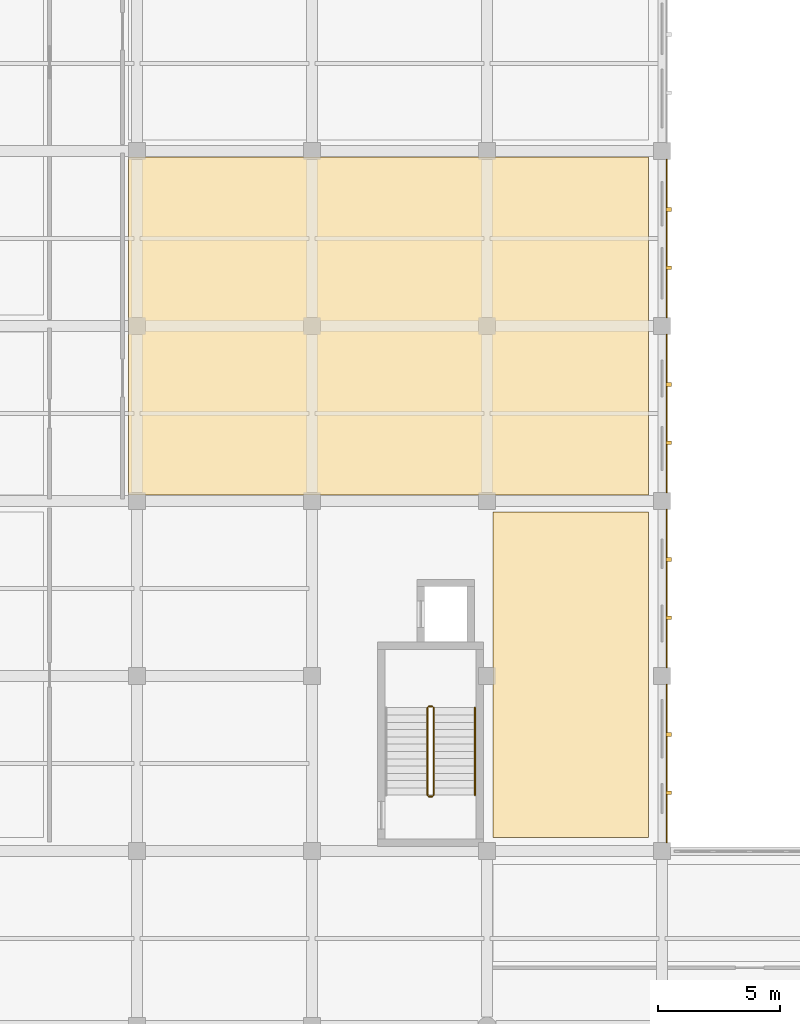
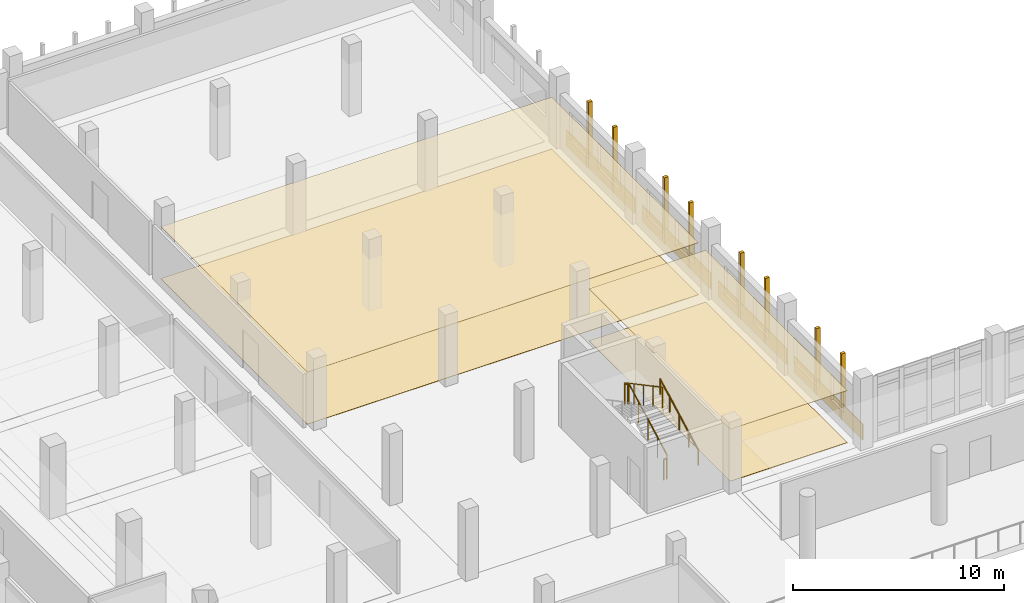
# One storey, part 53 of 57: 8 coverings, 8 shading devices, 5 railings.
"""IFC4 building model written with IfcOpenShell, lengths in metres."""

from ifc_helpers import new_model, si_unit, direction, frame, origin, origin_2d, place, context, subcontext, project, spatial, polyline, rectangle, circle, outline, extrude, material, layer, layer_set, type_object, element, save


model = new_model("IFC4")

# Units and contexts
model_context = context("Model", 3, precision=1e-05, world=origin(), true_north=direction((0.0, 1.0)))
body_context = subcontext(model_context, "Body", "Model", "MODEL_VIEW")
ifc_project = project(units=[si_unit("LENGTHUNIT", "METRE"), si_unit("AREAUNIT", "SQUARE_METRE"), si_unit("VOLUMEUNIT", "CUBIC_METRE"), si_unit("PLANEANGLEUNIT", "RADIAN"), si_unit("MASSUNIT", "GRAM", prefix="KILO")], contexts=[model_context])

# Site, building, storey
site_placement = place(None, origin())
site = spatial("IfcSite", under=ifc_project, at=site_placement, CompositionType="ELEMENT")
building_placement = place(site_placement, origin())
building = spatial("IfcBuilding", under=site, at=building_placement, Name="Valkovuoma Quantum and Materials Research Institute", CompositionType="ELEMENT")
storey_placement = place(building_placement, frame((0.0, 0.0, 4.800048828125)))
storey = spatial("IfcBuildingStorey", under=building, at=storey_placement, Name="L01", CompositionType="ELEMENT", Elevation=4.800048828125)

# Coverings
ifc_material_1 = material(Name="Cleanable acoustic mineral-fibre suspended ceiling", Category="masonry")
ifc_layer_1 = layer(ifc_material_1, 0.02490234375)
ifc_layer_set_1 = layer_set([ifc_layer_1], Name="Cleanable acoustic mineral-fibre suspended ceiling")
covering_type_1 = type_object("IfcCoveringType", Name="Cov-CEIL-01", PredefinedType="CEILING", material=ifc_layer_set_1)
covering_1_placement = place(storey_placement, frame((0.0, 0.0, 3.0)))
element("IfcCovering", 1, at=covering_1_placement, inside=storey, type_object=covering_type_1, Name="L01 acoustic ceiling 0043", PredefinedType="CEILING", context=body_context, shape_type="SweptSolid", body=[
    extrude(outline(polyline([(28.449951171875, 79.449951171875), (49.85009765625, 79.449951171875), (49.85009765625, 93.35009765625), (28.449951171875, 93.35009765625), (28.449951171875, 79.449951171875)])), origin(), (0.0, 0.0, 1.0), 0.02490234375),
])
covering_2_placement = place(storey_placement, frame((0.0, 0.0, 3.0)))
element("IfcCovering", 2, at=covering_2_placement, inside=storey, type_object=covering_type_1, Name="L01 acoustic ceiling 0045", PredefinedType="CEILING", context=body_context, shape_type="SweptSolid", body=[
    extrude(outline(polyline([(43.449951171875, 65.35009765625), (49.85009765625, 65.35009765625), (49.85009765625, 78.75), (43.449951171875, 78.75), (43.449951171875, 65.35009765625)])), origin(), (0.0, 0.0, 1.0), 0.02490234375),
])
ifc_material_2 = material(Name="Seamless dissipative laboratory resin flooring", Category="masonry")
ifc_layer_2 = layer(ifc_material_2, 0.014892578125)
ifc_layer_set_2 = layer_set([ifc_layer_2], Name="Seamless dissipative laboratory resin flooring")
covering_type_2 = type_object("IfcCoveringType", Name="Cov-FLOR-01", PredefinedType="FLOORING", material=ifc_layer_set_2)
covering_3_placement = place(storey_placement, origin())
element("IfcCovering", 3, at=covering_3_placement, inside=storey, type_object=covering_type_2, Name="L01 resin flooring 0043", PredefinedType="FLOORING", context=body_context, shape_type="SweptSolid", body=[
    extrude(outline(polyline([(28.449951171875, 79.449951171875), (49.85009765625, 79.449951171875), (49.85009765625, 93.35009765625), (28.449951171875, 93.35009765625), (28.449951171875, 79.449951171875)])), origin(), (0.0, 0.0, 1.0), 0.014892578125),
])
covering_4_placement = place(storey_placement, origin())
element("IfcCovering", 4, at=covering_4_placement, inside=storey, type_object=covering_type_2, Name="L01 resin flooring 0045", PredefinedType="FLOORING", context=body_context, shape_type="SweptSolid", body=[
    extrude(outline(polyline([(43.449951171875, 65.35009765625), (49.85009765625, 65.35009765625), (49.85009765625, 78.75), (43.449951171875, 78.75), (43.449951171875, 65.35009765625)])), origin(), (0.0, 0.0, 1.0), 0.014892578125),
])
ifc_material_3 = material(Name="Thermally modified Nordic pine timber rainscreen cladding", Category="wood")
ifc_layer_3 = layer(ifc_material_3, 0.044921875)
ifc_layer_set_3 = layer_set([ifc_layer_3], Name="Thermally modified Nordic pine timber rainscreen cladding")
covering_type_3 = type_object("IfcCoveringType", Name="Cov-TIMB-01", PredefinedType="CLADDING", material=ifc_layer_set_3)
for number, where, z_axis, x_axis, name in (
    (5, (50.590087890625, 68.39990234375, 0.02001953125), (0.0, 0.0, 1.0), (1.0, 0.0, 0.0), "L01 Nordic pine spandrel E-017"),
    (6, (50.590087890625, 75.60009765625, 0.02001953125), (0.0, 0.0, 1.0), (1.0, 0.0, 0.0), "L01 Nordic pine spandrel E-018"),
    (7, (50.590087890625, 82.800048828125, 0.02001953125), (0.0, 0.0, 1.0), (1.0, 0.0, 0.0), "L01 Nordic pine spandrel E-019"),
    (8, (50.590087890625, 90.0, 0.02001953125), (0.0, 0.0, 1.0), (1.0, 0.0, 0.0), "L01 Nordic pine spandrel E-020"),
):
    element("IfcCovering", number, at=place(storey_placement, frame(where, z_axis=z_axis, x_axis=x_axis)), inside=storey, type_object=covering_type_3, Name=name, PredefinedType="CLADDING", context=body_context, shape_type="SweptSolid", body=[
        extrude(rectangle(XDim=0.044921875, YDim=6.52001953125, at=origin_2d()), origin(), (0.0, 0.0, 1.0), 0.919921875),
    ])

# Railings
ifc_material_4 = material(Name="Painted steel stair balustrade", Category="steel")
railing_type_1 = type_object("IfcRailingType", Name="Rail-GRD-ST", PredefinedType="BALUSTRADE", material=ifc_material_4)
railing_1_placement = place(storey_placement, frame((41.0, 67.10009765625, 0.159912109375)))
element("IfcRailing", 9, at=railing_1_placement, inside=storey, type_object=railing_type_1, Name="L01 ST-4 stair guard 1", PredefinedType="BALUSTRADE", context=body_context, shape_type="SweptSolid", body=[
    extrude(circle(Radius=0.02392578125, at=origin_2d()), frame((0.0, 0.0, 1.17578125), z_axis=(0.0, 0.882352941176, 0.470588235294), x_axis=(-1.0, 0.0, 0.0)), (0.0, 0.0, 1.0), 4.079833984375),
    extrude(circle(Radius=0.02099609375, at=origin_2d()), origin(), (0.0, 0.0, 1.0), 1.15185546875),
    extrude(circle(Radius=0.02099609375, at=origin_2d()), frame((0.0, 0.89990234375, 0.47998046875)), (0.0, 0.0, 1.0), 1.15185546875),
    extrude(circle(Radius=0.02099609375, at=origin_2d()), frame((0.0, 1.7998046875, 0.9599609375)), (0.0, 0.0, 1.0), 1.15185546875),
    extrude(circle(Radius=0.02099609375, at=origin_2d()), frame((0.0, 2.699951171875, 1.43994140625)), (0.0, 0.0, 1.0), 1.15185546875),
    extrude(circle(Radius=0.02099609375, at=origin_2d()), frame((0.0, 3.599853515625, 1.919921875)), (0.0, 0.0, 1.0), 1.15185546875),
])
railing_2_placement = place(storey_placement, frame((40.949951171875, 70.75, 2.079833984375)))
element("IfcRailing", 10, at=railing_2_placement, inside=storey, type_object=railing_type_1, Name="L01 ST-4 stair guard 2", PredefinedType="BALUSTRADE", context=body_context, shape_type="SweptSolid", body=[
    extrude(circle(Radius=0.02392578125, at=origin_2d()), frame((0.0, 0.0, 1.17578125), z_axis=(-1.0, 0.0, 0.0), x_axis=(0.0, -1.0, 0.0)), (0.0, 0.0, 1.0), 0.14990234375),
    extrude(circle(Radius=0.02099609375, at=origin_2d()), origin(), (0.0, 0.0, 1.0), 1.15185546875),
    extrude(circle(Radius=0.02099609375, at=origin_2d()), frame((-0.14990234375, 0.0, 0.0)), (0.0, 0.0, 1.0), 1.15185546875),
])
railing_3_placement = place(storey_placement, frame((40.75, 70.699951171875, 2.239990234375)))
element("IfcRailing", 11, at=railing_3_placement, inside=storey, type_object=railing_type_1, Name="L01 ST-4 stair guard 3", PredefinedType="BALUSTRADE", context=body_context, shape_type="SweptSolid", body=[
    extrude(circle(Radius=0.02392578125, at=origin_2d()), frame((0.0, 0.0, 1.17578125), z_axis=(0.0, -0.882352941176, 0.470588235294), x_axis=(1.0, 0.0, 0.0)), (0.0, 0.0, 1.0), 4.079833984375),
    extrude(circle(Radius=0.02099609375, at=origin_2d()), origin(), (0.0, 0.0, 1.0), 1.15185546875),
    extrude(circle(Radius=0.02099609375, at=origin_2d()), frame((0.0, -0.89990234375, 0.47998046875)), (0.0, 0.0, 1.0), 1.15185546875),
    extrude(circle(Radius=0.02099609375, at=origin_2d()), frame((0.0, -1.7998046875, 0.9599609375)), (0.0, 0.0, 1.0), 1.15185546875),
    extrude(circle(Radius=0.02099609375, at=origin_2d()), frame((0.0, -2.699951171875, 1.43994140625)), (0.0, 0.0, 1.0), 1.15185546875),
    extrude(circle(Radius=0.02099609375, at=origin_2d()), frame((0.0, -3.599853515625, 1.919921875)), (0.0, 0.0, 1.0), 1.15185546875),
])
railing_4_placement = place(storey_placement, frame((40.949951171875, 67.050048828125, 0.0)))
element("IfcRailing", 12, at=railing_4_placement, inside=storey, type_object=railing_type_1, Name="L01 ST-4 stair guard 4", PredefinedType="BALUSTRADE", context=body_context, shape_type="SweptSolid", body=[
    extrude(circle(Radius=0.02392578125, at=origin_2d()), frame((0.0, 0.0, 1.17578125), z_axis=(-1.0, 0.0, 0.0), x_axis=(0.0, -1.0, 0.0)), (0.0, 0.0, 1.0), 0.14990234375),
    extrude(circle(Radius=0.02099609375, at=origin_2d()), origin(), (0.0, 0.0, 1.0), 1.15185546875),
    extrude(circle(Radius=0.02099609375, at=origin_2d()), frame((-0.14990234375, 0.0, 0.0)), (0.0, 0.0, 1.0), 1.15185546875),
])
ifc_material_5 = material(Name="Brushed stainless steel handrail", Category="steel")
railing_type_2 = type_object("IfcRailingType", Name="Rail-HR-ST", PredefinedType="HANDRAIL", material=ifc_material_5)
railing_5_placement = place(storey_placement, frame((42.699951171875, 67.10009765625, 0.159912109375)))
element("IfcRailing", 13, at=railing_5_placement, inside=storey, type_object=railing_type_2, Name="L01 ST-4 stair handrail 1", PredefinedType="HANDRAIL", context=body_context, shape_type="SweptSolid", body=[
    extrude(circle(Radius=0.02392578125, at=origin_2d()), frame((0.0, 0.0, 0.8759765625), z_axis=(0.0, 0.882352941176, 0.470588235294), x_axis=(-1.0, 0.0, 0.0)), (0.0, 0.0, 1.0), 4.079833984375),
    extrude(circle(Radius=0.02099609375, at=origin_2d()), origin(), (0.0, 0.0, 1.0), 0.851806640625),
    extrude(circle(Radius=0.02099609375, at=origin_2d()), frame((0.0, 0.89990234375, 0.47998046875)), (0.0, 0.0, 1.0), 0.851806640625),
    extrude(circle(Radius=0.02099609375, at=origin_2d()), frame((0.0, 1.7998046875, 0.9599609375)), (0.0, 0.0, 1.0), 0.851806640625),
    extrude(circle(Radius=0.02099609375, at=origin_2d()), frame((0.0, 2.699951171875, 1.43994140625)), (0.0, 0.0, 1.0), 0.851806640625),
    extrude(circle(Radius=0.02099609375, at=origin_2d()), frame((0.0, 3.599853515625, 1.919921875)), (0.0, 0.0, 1.0), 0.851806640625),
])

# Shading devices
ifc_material_6 = material(Name="Powder-coated white perforated architectural aluminium panel", Category="aluminium")
ifc_layer_4 = layer(ifc_material_6, 0.050048828125)
ifc_layer_set_4 = layer_set([ifc_layer_4], Name="Powder-coated white perforated architectural aluminium panel")
shading_device_type = type_object("IfcShadingDeviceType", Name="Screen-SCR-MID", PredefinedType="JALOUSIE", material=ifc_layer_set_4)
for number, where, z_axis, x_axis, name in (
    (14, (50.669921875, 67.199951171875, 0.0), (0.0, 0.0, 1.0), (1.0, 0.0, 0.0), "L01 cleanroom facade vertical fin E-0041"),
    (15, (50.669921875, 69.60009765625, 0.0), (0.0, 0.0, 1.0), (1.0, 0.0, 0.0), "L01 cleanroom facade vertical fin E-0042"),
    (16, (50.669921875, 74.39990234375, 0.0), (0.0, 0.0, 1.0), (1.0, 0.0, 0.0), "L01 cleanroom facade vertical fin E-0043"),
    (17, (50.669921875, 76.800048828125, 0.0), (0.0, 0.0, 1.0), (1.0, 0.0, 0.0), "L01 cleanroom facade vertical fin E-0044"),
    (18, (50.669921875, 81.60009765625, 0.0), (0.0, 0.0, 1.0), (1.0, 0.0, 0.0), "L01 cleanroom facade vertical fin E-0045"),
    (19, (50.669921875, 84.0, 0.0), (0.0, 0.0, 1.0), (1.0, 0.0, 0.0), "L01 cleanroom facade vertical fin E-0046"),
    (20, (50.669921875, 88.800048828125, 0.0), (0.0, 0.0, 1.0), (1.0, 0.0, 0.0), "L01 cleanroom facade vertical fin E-0047"),
    (21, (50.669921875, 91.199951171875, 0.0), (0.0, 0.0, 1.0), (1.0, 0.0, 0.0), "L01 cleanroom facade vertical fin E-0048"),
):
    element("IfcShadingDevice", number, at=place(storey_placement, frame(where, z_axis=z_axis, x_axis=x_axis)), inside=storey, type_object=shading_device_type, Name=name, PredefinedType="JALOUSIE", context=body_context, shape_type="SweptSolid", body=[
        extrude(rectangle(XDim=0.219970703125, YDim=0.159912109375, at=origin_2d()), origin(), (0.0, 0.0, 1.0), 3.81005859375),
    ])

save(model, "model.ifc")
